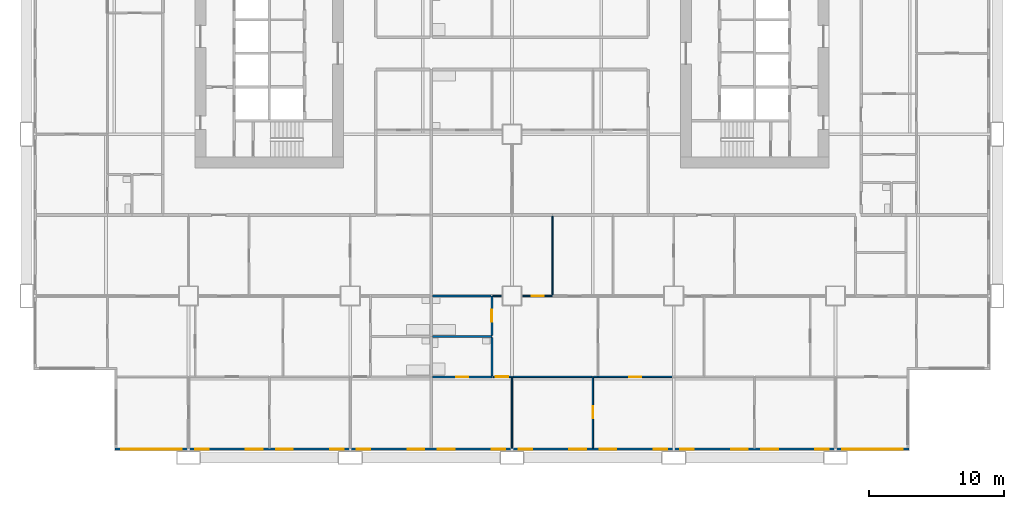
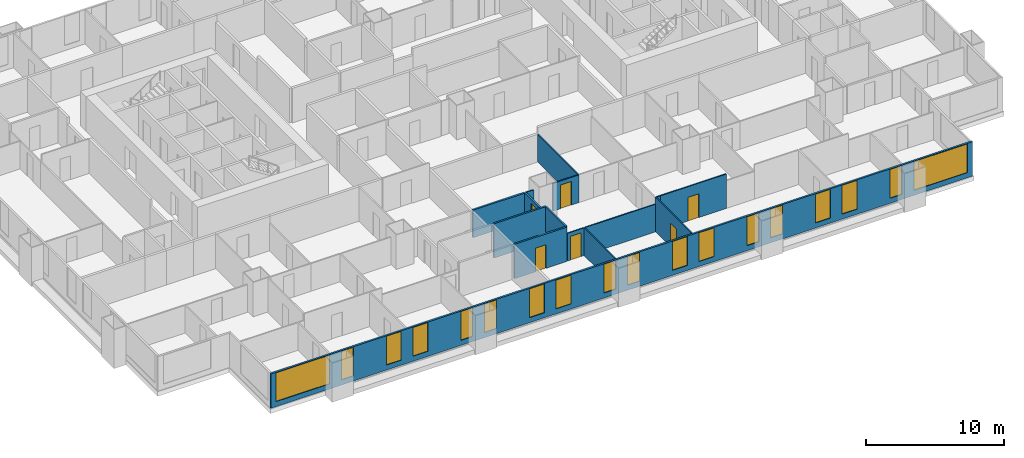
# One storey, part 5 of 14: 18 windows, 15 walls, 6 doors, 24 openings.
"""IFC4 building model written with IfcOpenShell, lengths in metres."""

from ifc_helpers import new_model, si_unit, direction, frame, frame_2d, origin, place, context, subcontext, project, spatial, rectangle, extrude, material, layer, layer_set, type_object, element, fill, save


model = new_model("IFC4")

# Units and contexts
model_context = context("Model", 3, precision=1e-05, world=origin(), true_north=direction((0.0, 1.0)))
body_context = subcontext(model_context, "Body", "Model", "MODEL_VIEW")
ifc_project = project(units=[si_unit("LENGTHUNIT", "METRE"), si_unit("AREAUNIT", "SQUARE_METRE"), si_unit("VOLUMEUNIT", "CUBIC_METRE"), si_unit("PLANEANGLEUNIT", "RADIAN"), si_unit("MASSUNIT", "GRAM", prefix="KILO")], contexts=[model_context])

# Site, building, storey
site_placement = place(None, origin())
site = spatial("IfcSite", under=ifc_project, at=site_placement, CompositionType="ELEMENT")
building_placement = place(site_placement, origin())
building = spatial("IfcBuilding", under=site, at=building_placement, Name="Kitamizu Gate Tower and Museum", CompositionType="ELEMENT")
storey_placement = place(building_placement, frame((0.0, 0.0, 43.800048828125)))
storey = spatial("IfcBuildingStorey", under=building, at=storey_placement, Name="L09", CompositionType="ELEMENT", Elevation=43.800048828125)

# Wall
ifc_material_1 = material(Name="Gypsum board on galvanised stud")
ifc_layer_1 = layer(ifc_material_1, 0.10009765625)
ifc_layer_set_1 = layer_set([ifc_layer_1], Name="Gypsum board on galvanised stud")
wall_type_1 = type_object("IfcWallType", Name="Partition 100 NOT RATED", PredefinedType="PARTITIONING", material=ifc_layer_set_1)
wall_1_placement = place(storey_placement, frame((36.0, 0.719970703125, 0.0), z_axis=(0.0, 0.0, 1.0), x_axis=(0.0, 1.0, 0.0)))
element("IfcWall", 1, at=wall_1_placement, inside=storey, type_object=wall_type_1, Name="Partition L09-046", PredefinedType="PARTITIONING", context=body_context, shape_type="SweptSolid", body=[
    extrude(rectangle(XDim=5.280029296875, YDim=0.10009765625, at=frame_2d((2.64013671875, 0.0))), origin(), (0.0, 0.0, 1.0), 2.449951171875),
])

# Wall, opening, door
wall_2_placement = place(storey_placement, frame((35.949951171875, 6.0, 0.0), z_axis=(0.0, 0.0, 1.0), x_axis=(-1.0, 0.0, 0.0)))
wall_2 = element("IfcWall", 2, at=wall_2_placement, inside=storey, type_object=wall_type_1, Name="Partition L09-048", PredefinedType="PARTITIONING", context=body_context, shape_type="SweptSolid", body=[
    extrude(rectangle(XDim=1.375, YDim=0.10009765625, at=frame_2d((0.6875, 0.0))), origin(), (0.0, 0.0, 1.0), 2.449951171875),
])
opening_1_placement = place(wall_2_placement, frame((0.237548828125, 0.0, 0.0)))
opening_1 = element("IfcOpeningElement", 3, at=opening_1_placement, cuts=wall_2, Name="Opening L09-024", PredefinedType="OPENING", context=body_context, shape_type="SweptSolid", body=[
    extrude(rectangle(XDim=0.89990234375, YDim=2.10009765625, at=frame_2d((0.449951171875, 1.050048828125))), frame((0.0, 0.06005859375, 0.0), z_axis=(0.0, -1.0, 0.0), x_axis=(1.0, 0.0, 0.0)), (0.0, 0.0, 1.0), 0.1201171875),
])
ifc_material_2 = material(Name="Timber door set", Category="wood")
door_type_1 = type_object("IfcDoorType", Name="Room door 900", OperationType="NOTDEFINED", PredefinedType="DOOR", material=ifc_material_2)
door_1_placement = place(opening_1_placement, origin())
door_1 = element("IfcDoor", 4, at=door_1_placement, inside=storey, type_object=door_type_1, Name="Door L09-024", OperationType="SINGLE_SWING_RIGHT", OverallHeight=2.10009765625, OverallWidth=0.89990234375, PredefinedType="DOOR", context=body_context, shape_type="SweptSolid", body=[
    extrude(rectangle(XDim=0.89990234375, YDim=2.10009765625, at=frame_2d((0.449951171875, 1.050048828125))), frame((0.0, 0.02490234375, 0.0), z_axis=(0.0, -1.0, 0.0), x_axis=(1.0, 0.0, 0.0)), (0.0, 0.0, 1.0), 0.050048828125),
])
fill(opening_1, door_1)

wall_3_placement = place(storey_placement, frame((42.0, 0.719970703125, 0.0), z_axis=(0.0, 0.0, 1.0), x_axis=(0.0, 1.0, 0.0)))
wall_3 = element("IfcWall", 5, at=wall_3_placement, inside=storey, type_object=wall_type_1, Name="Partition L09-049", PredefinedType="PARTITIONING", context=body_context, shape_type="SweptSolid", body=[
    extrude(rectangle(XDim=5.280029296875, YDim=0.10009765625, at=frame_2d((2.64013671875, 0.0))), origin(), (0.0, 0.0, 1.0), 3.050048828125),
])
opening_2_placement = place(wall_3_placement, frame((2.18994140625, 0.0, 0.0)))
opening_2 = element("IfcOpeningElement", 6, at=opening_2_placement, cuts=wall_3, Name="Opening L09-023", PredefinedType="OPENING", context=body_context, shape_type="SweptSolid", body=[
    extrude(rectangle(XDim=0.89990234375, YDim=2.10009765625, at=frame_2d((0.449951171875, 1.050048828125))), frame((0.0, 0.06005859375, 0.0), z_axis=(0.0, -1.0, 0.0), x_axis=(1.0, 0.0, 0.0)), (0.0, 0.0, 1.0), 0.1201171875),
])
door_2_placement = place(opening_2_placement, origin())
door_2 = element("IfcDoor", 7, at=door_2_placement, inside=storey, type_object=door_type_1, Name="Door L09-023", OperationType="SINGLE_SWING_LEFT", OverallHeight=2.10009765625, OverallWidth=0.89990234375, PredefinedType="DOOR", context=body_context, shape_type="SweptSolid", body=[
    extrude(rectangle(XDim=0.89990234375, YDim=2.10009765625, at=frame_2d((0.449951171875, 1.050048828125))), frame((0.0, 0.02490234375, 0.0), z_axis=(0.0, -1.0, 0.0), x_axis=(1.0, 0.0, 0.0)), (0.0, 0.0, 1.0), 0.050048828125),
])
fill(opening_2, door_2)

# Walls
wall_4_placement = place(storey_placement, frame((41.949951171875, 6.0, 0.0), z_axis=(0.0, 0.0, 1.0), x_axis=(-1.0, 0.0, 0.0)))
element("IfcWall", 8, at=wall_4_placement, inside=storey, type_object=wall_type_1, Name="Partition L09-050", PredefinedType="PARTITIONING", context=body_context, shape_type="SweptSolid", body=[
    extrude(rectangle(XDim=5.89990234375, YDim=0.10009765625, at=frame_2d((2.949951171875, 0.0))), origin(), (0.0, 0.0, 1.0), 2.449951171875),
])
wall_5_placement = place(storey_placement, frame((42.375, 6.0, 0.0), z_axis=(0.0, 0.0, 1.0), x_axis=(-1.0, 0.0, 0.0)))
element("IfcWall", 9, at=wall_5_placement, inside=storey, type_object=wall_type_1, Name="Partition L09-052", PredefinedType="PARTITIONING", context=body_context, shape_type="SweptSolid", body=[
    extrude(rectangle(XDim=0.324951171875, YDim=0.10009765625, at=frame_2d((0.16259765625, 0.0))), origin(), (0.0, 0.0, 1.0), 3.050048828125),
])

# Wall, opening, door
wall_6_placement = place(storey_placement, frame((47.89990234375, 6.0, 0.0), z_axis=(0.0, 0.0, 1.0), x_axis=(-1.0, 0.0, 0.0)))
wall_6 = element("IfcWall", 10, at=wall_6_placement, inside=storey, type_object=wall_type_1, Name="Partition L09-054", PredefinedType="PARTITIONING", context=body_context, shape_type="SweptSolid", body=[
    extrude(rectangle(XDim=5.52490234375, YDim=0.10009765625, at=frame_2d((2.762451171875, 0.0))), origin(), (0.0, 0.0, 1.0), 3.050048828125),
])
opening_3_placement = place(wall_6_placement, frame((2.3125, 0.0, 0.0)))
opening_3 = element("IfcOpeningElement", 11, at=opening_3_placement, cuts=wall_6, Name="Opening L09-020", PredefinedType="OPENING", context=body_context, shape_type="SweptSolid", body=[
    extrude(rectangle(XDim=0.89990234375, YDim=2.10009765625, at=frame_2d((0.449951171875, 1.050048828125))), frame((0.0, 0.06005859375, 0.0), z_axis=(0.0, -1.0, 0.0), x_axis=(1.0, 0.0, 0.0)), (0.0, 0.0, 1.0), 0.1201171875),
])
door_3_placement = place(opening_3_placement, frame((0.89990234375, 0.0, 0.0), x_axis=(-1.0, 0.0, 0.0)))
door_3 = element("IfcDoor", 12, at=door_3_placement, inside=storey, type_object=door_type_1, Name="Door L09-020", OperationType="SINGLE_SWING_LEFT", OverallHeight=2.10009765625, OverallWidth=0.89990234375, PredefinedType="DOOR", context=body_context, shape_type="SweptSolid", body=[
    extrude(rectangle(XDim=0.89990234375, YDim=2.10009765625, at=frame_2d((0.449951171875, 1.050048828125))), frame((0.0, 0.02490234375, 0.0), z_axis=(0.0, -1.0, 0.0), x_axis=(1.0, 0.0, 0.0)), (0.0, 0.0, 1.0), 0.050048828125),
])
fill(opening_3, door_3)

# Wall
wall_7_placement = place(storey_placement, frame((35.199951171875, 12.0, 0.0), z_axis=(0.0, 0.0, 1.0), x_axis=(-1.0, 0.0, 0.0)))
element("IfcWall", 13, at=wall_7_placement, inside=storey, type_object=wall_type_1, Name="Partition L09-065", PredefinedType="PARTITIONING", context=body_context, shape_type="SweptSolid", body=[
    extrude(rectangle(XDim=0.625, YDim=0.10009765625, at=frame_2d((0.3125, 0.0))), origin(), (0.0, 0.0, 1.0), 2.449951171875),
])

# Wall, opening, door
wall_8_placement = place(storey_placement, frame((39.0, 12.0, 0.0), z_axis=(0.0, 0.0, 1.0), x_axis=(-1.0, 0.0, 0.0)))
wall_8 = element("IfcWall", 14, at=wall_8_placement, inside=storey, type_object=wall_type_1, Name="Partition L09-066", PredefinedType="PARTITIONING", context=body_context, shape_type="SweptSolid", body=[
    extrude(rectangle(XDim=2.199951171875, YDim=0.10009765625, at=frame_2d((1.10009765625, 0.0))), origin(), (0.0, 0.0, 1.0), 2.449951171875),
])
opening_4_placement = place(wall_8_placement, frame((0.64990234375, 0.0, 0.0)))
opening_4 = element("IfcOpeningElement", 15, at=opening_4_placement, cuts=wall_8, Name="Opening L09-030", PredefinedType="OPENING", context=body_context, shape_type="SweptSolid", body=[
    extrude(rectangle(XDim=0.89990234375, YDim=2.10009765625, at=frame_2d((0.449951171875, 1.050048828125))), frame((0.0, 0.06005859375, 0.0), z_axis=(0.0, -1.0, 0.0), x_axis=(1.0, 0.0, 0.0)), (0.0, 0.0, 1.0), 0.1201171875),
])
door_4_placement = place(opening_4_placement, frame((0.89990234375, 0.0, 0.0), x_axis=(-1.0, 0.0, 0.0)))
door_4 = element("IfcDoor", 16, at=door_4_placement, inside=storey, type_object=door_type_1, Name="Door L09-030", OperationType="SINGLE_SWING_RIGHT", OverallHeight=2.10009765625, OverallWidth=0.89990234375, PredefinedType="DOOR", context=body_context, shape_type="SweptSolid", body=[
    extrude(rectangle(XDim=0.89990234375, YDim=2.10009765625, at=frame_2d((0.449951171875, 1.050048828125))), frame((0.0, 0.02490234375, 0.0), z_axis=(0.0, -1.0, 0.0), x_axis=(1.0, 0.0, 0.0)), (0.0, 0.0, 1.0), 0.050048828125),
])
fill(opening_4, door_4)

# Wall
wall_9_placement = place(storey_placement, frame((39.0, 12.050048828125, 0.0), z_axis=(0.0, 0.0, 1.0), x_axis=(0.0, 1.0, 0.0)))
element("IfcWall", 17, at=wall_9_placement, inside=storey, type_object=wall_type_1, Name="Partition L09-081", PredefinedType="PARTITIONING", context=body_context, shape_type="SweptSolid", body=[
    extrude(rectangle(XDim=5.849853515625, YDim=0.10009765625, at=frame_2d((2.9248046875, 0.0))), origin(), (0.0, 0.0, 1.0), 2.449951171875),
])

# Wall, opening, door
ifc_material_3 = material(Name="Gypsum board on galvanised stud")
ifc_layer_2 = layer(ifc_material_3, 0.14990234375)
ifc_layer_set_2 = layer_set([ifc_layer_2], Name="Gypsum board on galvanised stud")
wall_type_2 = type_object("IfcWallType", Name="Partition 150", PredefinedType="PARTITIONING", material=ifc_layer_set_2)
wall_10_placement = place(storey_placement, frame((34.5, 6.0, 0.0), z_axis=(0.0, 0.0, 1.0), x_axis=(-1.0, 0.0, 0.0)))
wall_10 = element("IfcWall", 18, at=wall_10_placement, inside=storey, type_object=wall_type_2, Name="Partition L09-047", PredefinedType="PARTITIONING", context=body_context, shape_type="SweptSolid", body=[
    extrude(rectangle(XDim=4.39990234375, YDim=0.14990234375, at=frame_2d((2.199951171875, 0.0))), origin(), (0.0, 0.0, 1.0), 3.050048828125),
])
opening_5_placement = place(wall_10_placement, frame((1.75, 0.0, 0.0)))
opening_5 = element("IfcOpeningElement", 19, at=opening_5_placement, cuts=wall_10, Name="Opening L09-026", PredefinedType="OPENING", context=body_context, shape_type="SweptSolid", body=[
    extrude(rectangle(XDim=0.89990234375, YDim=2.10009765625, at=frame_2d((0.449951171875, 1.050048828125))), frame((0.0, 0.0849609375, 0.0), z_axis=(0.0, -1.0, 0.0), x_axis=(1.0, 0.0, 0.0)), (0.0, 0.0, 1.0), 0.169921875),
])
ifc_material_4 = material(Name="Timber door set", Category="wood")
door_type_2 = type_object("IfcDoorType", Name="Bathroom door 900", OperationType="NOTDEFINED", PredefinedType="DOOR", material=ifc_material_4)
door_5_placement = place(opening_5_placement, frame((0.89990234375, 0.0, 0.0), x_axis=(-1.0, 0.0, 0.0)))
door_5 = element("IfcDoor", 20, at=door_5_placement, inside=storey, type_object=door_type_2, Name="Bathroom door L09-026", OperationType="SINGLE_SWING_RIGHT", OverallHeight=2.10009765625, OverallWidth=0.89990234375, PredefinedType="DOOR", context=body_context, shape_type="SweptSolid", body=[
    extrude(rectangle(XDim=0.89990234375, YDim=2.10009765625, at=frame_2d((0.449951171875, 1.050048828125))), frame((0.0, 0.02490234375, 0.0), z_axis=(0.0, -1.0, 0.0), x_axis=(1.0, 0.0, 0.0)), (0.0, 0.0, 1.0), 0.050048828125),
])
fill(opening_5, door_5)

# Walls
wall_11_placement = place(storey_placement, frame((34.5, 9.0, 0.0), z_axis=(0.0, 0.0, 1.0), x_axis=(-1.0, 0.0, 0.0)))
element("IfcWall", 21, at=wall_11_placement, inside=storey, type_object=wall_type_2, Name="Partition L09-060", PredefinedType="PARTITIONING", context=body_context, shape_type="SweptSolid", body=[
    extrude(rectangle(XDim=4.39990234375, YDim=0.14990234375, at=frame_2d((2.199951171875, 0.0))), origin(), (0.0, 0.0, 1.0), 3.050048828125),
])
wall_12_placement = place(storey_placement, frame((34.5, 6.074951171875, 0.0), z_axis=(0.0, 0.0, 1.0), x_axis=(0.0, 1.0, 0.0)))
element("IfcWall", 22, at=wall_12_placement, inside=storey, type_object=wall_type_2, Name="Partition L09-061", PredefinedType="PARTITIONING", context=body_context, shape_type="SweptSolid", body=[
    extrude(rectangle(XDim=2.85009765625, YDim=0.14990234375, at=frame_2d((1.425048828125, 0.0))), origin(), (0.0, 0.0, 1.0), 3.050048828125),
])

# Wall, opening, door
wall_13_placement = place(storey_placement, frame((34.5, 9.074951171875, 0.0), z_axis=(0.0, 0.0, 1.0), x_axis=(0.0, 1.0, 0.0)))
wall_13 = element("IfcWall", 23, at=wall_13_placement, inside=storey, type_object=wall_type_2, Name="Partition L09-062", PredefinedType="PARTITIONING", context=body_context, shape_type="SweptSolid", body=[
    extrude(rectangle(XDim=2.925048828125, YDim=0.14990234375, at=frame_2d((1.46240234375, 0.0))), origin(), (0.0, 0.0, 1.0), 2.449951171875),
])
opening_6_placement = place(wall_13_placement, frame((1.012451171875, 0.0, 0.0)))
opening_6 = element("IfcOpeningElement", 24, at=opening_6_placement, cuts=wall_13, Name="Opening L09-029", PredefinedType="OPENING", context=body_context, shape_type="SweptSolid", body=[
    extrude(rectangle(XDim=0.89990234375, YDim=2.10009765625, at=frame_2d((0.449951171875, 1.050048828125))), frame((0.0, 0.0849609375, 0.0), z_axis=(0.0, -1.0, 0.0), x_axis=(1.0, 0.0, 0.0)), (0.0, 0.0, 1.0), 0.169921875),
])
door_6_placement = place(opening_6_placement, origin())
door_6 = element("IfcDoor", 25, at=door_6_placement, inside=storey, type_object=door_type_2, Name="Bathroom door L09-029", OperationType="SINGLE_SWING_RIGHT", OverallHeight=2.10009765625, OverallWidth=0.89990234375, PredefinedType="DOOR", context=body_context, shape_type="SweptSolid", body=[
    extrude(rectangle(XDim=0.89990234375, YDim=2.10009765625, at=frame_2d((0.449951171875, 1.050048828125))), frame((0.0, 0.02490234375, 0.0), z_axis=(0.0, -1.0, 0.0), x_axis=(1.0, 0.0, 0.0)), (0.0, 0.0, 1.0), 0.050048828125),
])
fill(opening_6, door_6)

# Wall
wall_14_placement = place(storey_placement, frame((34.425048828125, 12.0, 0.0), z_axis=(0.0, 0.0, 1.0), x_axis=(-1.0, 0.0, 0.0)))
element("IfcWall", 26, at=wall_14_placement, inside=storey, type_object=wall_type_2, Name="Partition L09-063", PredefinedType="PARTITIONING", context=body_context, shape_type="SweptSolid", body=[
    extrude(rectangle(XDim=4.324951171875, YDim=0.14990234375, at=frame_2d((2.16259765625, 0.0))), origin(), (0.0, 0.0, 1.0), 2.449951171875),
])

# Wall, openings, windows
ifc_material_5 = material(Name="Bronze anodised aluminium frame with insulated spandrel and tinted glass", Category="aluminium")
ifc_layer_3 = layer(ifc_material_5, 0.14990234375)
ifc_layer_set_3 = layer_set([ifc_layer_3], Name="Bronze anodised aluminium frame with insulated spandrel and tinted glass")
wall_type_3 = type_object("IfcWallType", Name="WINDOW WALL 150 BRONZE FRAME EI 30", PredefinedType="ELEMENTEDWALL", material=ifc_layer_set_3)
wall_15_placement = place(storey_placement, frame((6.56005859375, 0.635009765625, 0.0), z_axis=(0.0, 0.0, 1.0), x_axis=(1.0, 0.0, 0.0)))
wall_15 = element("IfcWall", 27, at=wall_15_placement, inside=storey, type_object=wall_type_3, Name="Window wall south L09", PredefinedType="ELEMENTEDWALL", context=body_context, shape_type="SweptSolid", body=[
    extrude(rectangle(XDim=58.8798828125, YDim=0.14990234375, at=frame_2d((29.43994140625, 0.0))), origin(), (0.0, 0.0, 1.0), 3.050048828125),
])
opening_7_placement = place(wall_15_placement, frame((0.43994140625, 0.0, 0.449951171875)))
opening_7 = element("IfcOpeningElement", 28, at=opening_7_placement, cuts=wall_15, Name="Opening W15", PredefinedType="OPENING", context=body_context, shape_type="SweptSolid", body=[
    extrude(rectangle(XDim=4.5, YDim=2.550048828125, at=frame_2d((2.25, 1.27490234375))), frame((0.0, 0.0849609375, 0.0), z_axis=(0.0, -1.0, 0.0), x_axis=(1.0, 0.0, 0.0)), (0.0, 0.0, 1.0), 0.169921875),
])
opening_8_placement = place(wall_15_placement, frame((5.93994140625, 0.0, 0.449951171875)))
opening_8 = element("IfcOpeningElement", 29, at=opening_8_placement, cuts=wall_15, Name="Opening W26", PredefinedType="OPENING", context=body_context, shape_type="SweptSolid", body=[
    extrude(rectangle(XDim=1.0, YDim=2.550048828125, at=frame_2d((0.5, 1.27490234375))), frame((0.0, 0.0849609375, 0.0), z_axis=(0.0, -1.0, 0.0), x_axis=(1.0, 0.0, 0.0)), (0.0, 0.0, 1.0), 0.169921875),
])
opening_9_placement = place(wall_15_placement, frame((9.68994140625, 0.0, 0.449951171875)))
opening_9 = element("IfcOpeningElement", 30, at=opening_9_placement, cuts=wall_15, Name="Opening W27", PredefinedType="OPENING", context=body_context, shape_type="SweptSolid", body=[
    extrude(rectangle(XDim=1.25, YDim=2.550048828125, at=frame_2d((0.625, 1.27490234375))), frame((0.0, 0.0849609375, 0.0), z_axis=(0.0, -1.0, 0.0), x_axis=(1.0, 0.0, 0.0)), (0.0, 0.0, 1.0), 0.169921875),
])
opening_10_placement = place(wall_15_placement, frame((11.93994140625, 0.0, 0.449951171875)))
opening_10 = element("IfcOpeningElement", 31, at=opening_10_placement, cuts=wall_15, Name="Opening W27", PredefinedType="OPENING", context=body_context, shape_type="SweptSolid", body=[
    extrude(rectangle(XDim=1.25, YDim=2.550048828125, at=frame_2d((0.625, 1.27490234375))), frame((0.0, 0.0849609375, 0.0), z_axis=(0.0, -1.0, 0.0), x_axis=(1.0, 0.0, 0.0)), (0.0, 0.0, 1.0), 0.169921875),
])
opening_11_placement = place(wall_15_placement, frame((15.93994140625, 0.0, 0.449951171875)))
opening_11 = element("IfcOpeningElement", 32, at=opening_11_placement, cuts=wall_15, Name="Opening W26", PredefinedType="OPENING", context=body_context, shape_type="SweptSolid", body=[
    extrude(rectangle(XDim=1.0, YDim=2.550048828125, at=frame_2d((0.5, 1.27490234375))), frame((0.0, 0.0849609375, 0.0), z_axis=(0.0, -1.0, 0.0), x_axis=(1.0, 0.0, 0.0)), (0.0, 0.0, 1.0), 0.169921875),
])
opening_12_placement = place(wall_15_placement, frame((17.93994140625, 0.0, 0.449951171875)))
opening_12 = element("IfcOpeningElement", 33, at=opening_12_placement, cuts=wall_15, Name="Opening W26", PredefinedType="OPENING", context=body_context, shape_type="SweptSolid", body=[
    extrude(rectangle(XDim=1.0, YDim=2.550048828125, at=frame_2d((0.5, 1.27490234375))), frame((0.0, 0.0849609375, 0.0), z_axis=(0.0, -1.0, 0.0), x_axis=(1.0, 0.0, 0.0)), (0.0, 0.0, 1.0), 0.169921875),
])
opening_13_placement = place(wall_15_placement, frame((21.68994140625, 0.0, 0.449951171875)))
opening_13 = element("IfcOpeningElement", 34, at=opening_13_placement, cuts=wall_15, Name="Opening W27", PredefinedType="OPENING", context=body_context, shape_type="SweptSolid", body=[
    extrude(rectangle(XDim=1.25, YDim=2.550048828125, at=frame_2d((0.625, 1.27490234375))), frame((0.0, 0.0849609375, 0.0), z_axis=(0.0, -1.0, 0.0), x_axis=(1.0, 0.0, 0.0)), (0.0, 0.0, 1.0), 0.169921875),
])
opening_14_placement = place(wall_15_placement, frame((23.93994140625, 0.0, 0.449951171875)))
opening_14 = element("IfcOpeningElement", 35, at=opening_14_placement, cuts=wall_15, Name="Opening W27", PredefinedType="OPENING", context=body_context, shape_type="SweptSolid", body=[
    extrude(rectangle(XDim=1.25, YDim=2.550048828125, at=frame_2d((0.625, 1.27490234375))), frame((0.0, 0.0849609375, 0.0), z_axis=(0.0, -1.0, 0.0), x_axis=(1.0, 0.0, 0.0)), (0.0, 0.0, 1.0), 0.169921875),
])
opening_15_placement = place(wall_15_placement, frame((27.93994140625, 0.0, 0.449951171875)))
opening_15 = element("IfcOpeningElement", 36, at=opening_15_placement, cuts=wall_15, Name="Opening W26", PredefinedType="OPENING", context=body_context, shape_type="SweptSolid", body=[
    extrude(rectangle(XDim=1.0, YDim=2.550048828125, at=frame_2d((0.5, 1.27490234375))), frame((0.0, 0.0849609375, 0.0), z_axis=(0.0, -1.0, 0.0), x_axis=(1.0, 0.0, 0.0)), (0.0, 0.0, 1.0), 0.169921875),
])
opening_16_placement = place(wall_15_placement, frame((29.93994140625, 0.0, 0.449951171875)))
opening_16 = element("IfcOpeningElement", 37, at=opening_16_placement, cuts=wall_15, Name="Opening W26", PredefinedType="OPENING", context=body_context, shape_type="SweptSolid", body=[
    extrude(rectangle(XDim=1.0, YDim=2.550048828125, at=frame_2d((0.5, 1.27490234375))), frame((0.0, 0.0849609375, 0.0), z_axis=(0.0, -1.0, 0.0), x_axis=(1.0, 0.0, 0.0)), (0.0, 0.0, 1.0), 0.169921875),
])
opening_17_placement = place(wall_15_placement, frame((33.68994140625, 0.0, 0.449951171875)))
opening_17 = element("IfcOpeningElement", 38, at=opening_17_placement, cuts=wall_15, Name="Opening W27", PredefinedType="OPENING", context=body_context, shape_type="SweptSolid", body=[
    extrude(rectangle(XDim=1.25, YDim=2.550048828125, at=frame_2d((0.625, 1.27490234375))), frame((0.0, 0.0849609375, 0.0), z_axis=(0.0, -1.0, 0.0), x_axis=(1.0, 0.0, 0.0)), (0.0, 0.0, 1.0), 0.169921875),
])
opening_18_placement = place(wall_15_placement, frame((35.93994140625, 0.0, 0.449951171875)))
opening_18 = element("IfcOpeningElement", 39, at=opening_18_placement, cuts=wall_15, Name="Opening W27", PredefinedType="OPENING", context=body_context, shape_type="SweptSolid", body=[
    extrude(rectangle(XDim=1.25, YDim=2.550048828125, at=frame_2d((0.625, 1.27490234375))), frame((0.0, 0.0849609375, 0.0), z_axis=(0.0, -1.0, 0.0), x_axis=(1.0, 0.0, 0.0)), (0.0, 0.0, 1.0), 0.169921875),
])
opening_19_placement = place(wall_15_placement, frame((39.93994140625, 0.0, 0.449951171875)))
opening_19 = element("IfcOpeningElement", 40, at=opening_19_placement, cuts=wall_15, Name="Opening W26", PredefinedType="OPENING", context=body_context, shape_type="SweptSolid", body=[
    extrude(rectangle(XDim=1.0, YDim=2.550048828125, at=frame_2d((0.5, 1.27490234375))), frame((0.0, 0.0849609375, 0.0), z_axis=(0.0, -1.0, 0.0), x_axis=(1.0, 0.0, 0.0)), (0.0, 0.0, 1.0), 0.169921875),
])
opening_20_placement = place(wall_15_placement, frame((41.93994140625, 0.0, 0.449951171875)))
opening_20 = element("IfcOpeningElement", 41, at=opening_20_placement, cuts=wall_15, Name="Opening W26", PredefinedType="OPENING", context=body_context, shape_type="SweptSolid", body=[
    extrude(rectangle(XDim=1.0, YDim=2.550048828125, at=frame_2d((0.5, 1.27490234375))), frame((0.0, 0.0849609375, 0.0), z_axis=(0.0, -1.0, 0.0), x_axis=(1.0, 0.0, 0.0)), (0.0, 0.0, 1.0), 0.169921875),
])
opening_21_placement = place(wall_15_placement, frame((45.68994140625, 0.0, 0.449951171875)))
opening_21 = element("IfcOpeningElement", 42, at=opening_21_placement, cuts=wall_15, Name="Opening W27", PredefinedType="OPENING", context=body_context, shape_type="SweptSolid", body=[
    extrude(rectangle(XDim=1.25, YDim=2.550048828125, at=frame_2d((0.625, 1.27490234375))), frame((0.0, 0.0849609375, 0.0), z_axis=(0.0, -1.0, 0.0), x_axis=(1.0, 0.0, 0.0)), (0.0, 0.0, 1.0), 0.169921875),
])
opening_22_placement = place(wall_15_placement, frame((47.93994140625, 0.0, 0.449951171875)))
opening_22 = element("IfcOpeningElement", 43, at=opening_22_placement, cuts=wall_15, Name="Opening W27", PredefinedType="OPENING", context=body_context, shape_type="SweptSolid", body=[
    extrude(rectangle(XDim=1.25, YDim=2.550048828125, at=frame_2d((0.625, 1.27490234375))), frame((0.0, 0.0849609375, 0.0), z_axis=(0.0, -1.0, 0.0), x_axis=(1.0, 0.0, 0.0)), (0.0, 0.0, 1.0), 0.169921875),
])
opening_23_placement = place(wall_15_placement, frame((51.93994140625, 0.0, 0.449951171875)))
opening_23 = element("IfcOpeningElement", 44, at=opening_23_placement, cuts=wall_15, Name="Opening W26", PredefinedType="OPENING", context=body_context, shape_type="SweptSolid", body=[
    extrude(rectangle(XDim=1.0, YDim=2.550048828125, at=frame_2d((0.5, 1.27490234375))), frame((0.0, 0.0849609375, 0.0), z_axis=(0.0, -1.0, 0.0), x_axis=(1.0, 0.0, 0.0)), (0.0, 0.0, 1.0), 0.169921875),
])
opening_24_placement = place(wall_15_placement, frame((53.93994140625, 0.0, 0.449951171875)))
opening_24 = element("IfcOpeningElement", 45, at=opening_24_placement, cuts=wall_15, Name="Opening W15", PredefinedType="OPENING", context=body_context, shape_type="SweptSolid", body=[
    extrude(rectangle(XDim=4.5, YDim=2.550048828125, at=frame_2d((2.25, 1.27490234375))), frame((0.0, 0.0849609375, 0.0), z_axis=(0.0, -1.0, 0.0), x_axis=(1.0, 0.0, 0.0)), (0.0, 0.0, 1.0), 0.169921875),
])
ifc_material_6 = material(Name="Bronze anodised aluminium frame, tinted triple glazing", Category="aluminium")
window_type_1 = type_object("IfcWindowType", Name="WINDOW 1000 x 2550 SILL 450", PartitioningType="SINGLE_PANEL", PredefinedType="WINDOW", material=ifc_material_6)
window_1_placement = place(opening_8_placement, origin())
window_1 = element("IfcWindow", 46, at=window_1_placement, inside=storey, type_object=window_type_1, Name="Window W26 L09", OverallHeight=2.550048828125, OverallWidth=1.0, PartitioningType="SINGLE_PANEL", PredefinedType="WINDOW", context=body_context, shape_type="SweptSolid", body=[
    extrude(rectangle(XDim=1.0, YDim=2.550048828125, at=frame_2d((0.5, 1.27490234375))), frame((0.0, 0.030029296875, 0.0), z_axis=(0.0, -1.0, 0.0), x_axis=(1.0, 0.0, 0.0)), (0.0, 0.0, 1.0), 0.06005859375),
])
fill(opening_8, window_1)
window_2_placement = place(opening_11_placement, origin())
window_2 = element("IfcWindow", 47, at=window_2_placement, inside=storey, type_object=window_type_1, Name="Window W26 L09", OverallHeight=2.550048828125, OverallWidth=1.0, PartitioningType="SINGLE_PANEL", PredefinedType="WINDOW", context=body_context, shape_type="SweptSolid", body=[
    extrude(rectangle(XDim=1.0, YDim=2.550048828125, at=frame_2d((0.5, 1.27490234375))), frame((0.0, 0.030029296875, 0.0), z_axis=(0.0, -1.0, 0.0), x_axis=(1.0, 0.0, 0.0)), (0.0, 0.0, 1.0), 0.06005859375),
])
fill(opening_11, window_2)
window_3_placement = place(opening_12_placement, origin())
window_3 = element("IfcWindow", 48, at=window_3_placement, inside=storey, type_object=window_type_1, Name="Window W26 L09", OverallHeight=2.550048828125, OverallWidth=1.0, PartitioningType="SINGLE_PANEL", PredefinedType="WINDOW", context=body_context, shape_type="SweptSolid", body=[
    extrude(rectangle(XDim=1.0, YDim=2.550048828125, at=frame_2d((0.5, 1.27490234375))), frame((0.0, 0.030029296875, 0.0), z_axis=(0.0, -1.0, 0.0), x_axis=(1.0, 0.0, 0.0)), (0.0, 0.0, 1.0), 0.06005859375),
])
fill(opening_12, window_3)
window_4_placement = place(opening_15_placement, origin())
window_4 = element("IfcWindow", 49, at=window_4_placement, inside=storey, type_object=window_type_1, Name="Window W26 L09", OverallHeight=2.550048828125, OverallWidth=1.0, PartitioningType="SINGLE_PANEL", PredefinedType="WINDOW", context=body_context, shape_type="SweptSolid", body=[
    extrude(rectangle(XDim=1.0, YDim=2.550048828125, at=frame_2d((0.5, 1.27490234375))), frame((0.0, 0.030029296875, 0.0), z_axis=(0.0, -1.0, 0.0), x_axis=(1.0, 0.0, 0.0)), (0.0, 0.0, 1.0), 0.06005859375),
])
fill(opening_15, window_4)
window_5_placement = place(opening_16_placement, origin())
window_5 = element("IfcWindow", 50, at=window_5_placement, inside=storey, type_object=window_type_1, Name="Window W26 L09", OverallHeight=2.550048828125, OverallWidth=1.0, PartitioningType="SINGLE_PANEL", PredefinedType="WINDOW", context=body_context, shape_type="SweptSolid", body=[
    extrude(rectangle(XDim=1.0, YDim=2.550048828125, at=frame_2d((0.5, 1.27490234375))), frame((0.0, 0.030029296875, 0.0), z_axis=(0.0, -1.0, 0.0), x_axis=(1.0, 0.0, 0.0)), (0.0, 0.0, 1.0), 0.06005859375),
])
fill(opening_16, window_5)
window_6_placement = place(opening_19_placement, origin())
window_6 = element("IfcWindow", 51, at=window_6_placement, inside=storey, type_object=window_type_1, Name="Window W26 L09", OverallHeight=2.550048828125, OverallWidth=1.0, PartitioningType="SINGLE_PANEL", PredefinedType="WINDOW", context=body_context, shape_type="SweptSolid", body=[
    extrude(rectangle(XDim=1.0, YDim=2.550048828125, at=frame_2d((0.5, 1.27490234375))), frame((0.0, 0.030029296875, 0.0), z_axis=(0.0, -1.0, 0.0), x_axis=(1.0, 0.0, 0.0)), (0.0, 0.0, 1.0), 0.06005859375),
])
fill(opening_19, window_6)
window_7_placement = place(opening_20_placement, origin())
window_7 = element("IfcWindow", 52, at=window_7_placement, inside=storey, type_object=window_type_1, Name="Window W26 L09", OverallHeight=2.550048828125, OverallWidth=1.0, PartitioningType="SINGLE_PANEL", PredefinedType="WINDOW", context=body_context, shape_type="SweptSolid", body=[
    extrude(rectangle(XDim=1.0, YDim=2.550048828125, at=frame_2d((0.5, 1.27490234375))), frame((0.0, 0.030029296875, 0.0), z_axis=(0.0, -1.0, 0.0), x_axis=(1.0, 0.0, 0.0)), (0.0, 0.0, 1.0), 0.06005859375),
])
fill(opening_20, window_7)
window_8_placement = place(opening_23_placement, origin())
window_8 = element("IfcWindow", 53, at=window_8_placement, inside=storey, type_object=window_type_1, Name="Window W26 L09", OverallHeight=2.550048828125, OverallWidth=1.0, PartitioningType="SINGLE_PANEL", PredefinedType="WINDOW", context=body_context, shape_type="SweptSolid", body=[
    extrude(rectangle(XDim=1.0, YDim=2.550048828125, at=frame_2d((0.5, 1.27490234375))), frame((0.0, 0.030029296875, 0.0), z_axis=(0.0, -1.0, 0.0), x_axis=(1.0, 0.0, 0.0)), (0.0, 0.0, 1.0), 0.06005859375),
])
fill(opening_23, window_8)
ifc_material_7 = material(Name="Bronze anodised aluminium frame, tinted triple glazing", Category="aluminium")
window_type_2 = type_object("IfcWindowType", Name="WINDOW 1250 x 2550 SILL 450", PartitioningType="SINGLE_PANEL", PredefinedType="WINDOW", material=ifc_material_7)
window_9_placement = place(opening_9_placement, origin())
window_9 = element("IfcWindow", 54, at=window_9_placement, inside=storey, type_object=window_type_2, Name="Window W27 L09", OverallHeight=2.550048828125, OverallWidth=1.25, PartitioningType="SINGLE_PANEL", PredefinedType="WINDOW", context=body_context, shape_type="SweptSolid", body=[
    extrude(rectangle(XDim=1.25, YDim=2.550048828125, at=frame_2d((0.625, 1.27490234375))), frame((0.0, 0.030029296875, 0.0), z_axis=(0.0, -1.0, 0.0), x_axis=(1.0, 0.0, 0.0)), (0.0, 0.0, 1.0), 0.06005859375),
])
fill(opening_9, window_9)
window_10_placement = place(opening_10_placement, origin())
window_10 = element("IfcWindow", 55, at=window_10_placement, inside=storey, type_object=window_type_2, Name="Window W27 L09", OverallHeight=2.550048828125, OverallWidth=1.25, PartitioningType="SINGLE_PANEL", PredefinedType="WINDOW", context=body_context, shape_type="SweptSolid", body=[
    extrude(rectangle(XDim=1.25, YDim=2.550048828125, at=frame_2d((0.625, 1.27490234375))), frame((0.0, 0.030029296875, 0.0), z_axis=(0.0, -1.0, 0.0), x_axis=(1.0, 0.0, 0.0)), (0.0, 0.0, 1.0), 0.06005859375),
])
fill(opening_10, window_10)
window_11_placement = place(opening_13_placement, origin())
window_11 = element("IfcWindow", 56, at=window_11_placement, inside=storey, type_object=window_type_2, Name="Window W27 L09", OverallHeight=2.550048828125, OverallWidth=1.25, PartitioningType="SINGLE_PANEL", PredefinedType="WINDOW", context=body_context, shape_type="SweptSolid", body=[
    extrude(rectangle(XDim=1.25, YDim=2.550048828125, at=frame_2d((0.625, 1.27490234375))), frame((0.0, 0.030029296875, 0.0), z_axis=(0.0, -1.0, 0.0), x_axis=(1.0, 0.0, 0.0)), (0.0, 0.0, 1.0), 0.06005859375),
])
fill(opening_13, window_11)
window_12_placement = place(opening_14_placement, origin())
window_12 = element("IfcWindow", 57, at=window_12_placement, inside=storey, type_object=window_type_2, Name="Window W27 L09", OverallHeight=2.550048828125, OverallWidth=1.25, PartitioningType="SINGLE_PANEL", PredefinedType="WINDOW", context=body_context, shape_type="SweptSolid", body=[
    extrude(rectangle(XDim=1.25, YDim=2.550048828125, at=frame_2d((0.625, 1.27490234375))), frame((0.0, 0.030029296875, 0.0), z_axis=(0.0, -1.0, 0.0), x_axis=(1.0, 0.0, 0.0)), (0.0, 0.0, 1.0), 0.06005859375),
])
fill(opening_14, window_12)
window_13_placement = place(opening_17_placement, origin())
window_13 = element("IfcWindow", 58, at=window_13_placement, inside=storey, type_object=window_type_2, Name="Window W27 L09", OverallHeight=2.550048828125, OverallWidth=1.25, PartitioningType="SINGLE_PANEL", PredefinedType="WINDOW", context=body_context, shape_type="SweptSolid", body=[
    extrude(rectangle(XDim=1.25, YDim=2.550048828125, at=frame_2d((0.625, 1.27490234375))), frame((0.0, 0.030029296875, 0.0), z_axis=(0.0, -1.0, 0.0), x_axis=(1.0, 0.0, 0.0)), (0.0, 0.0, 1.0), 0.06005859375),
])
fill(opening_17, window_13)
window_14_placement = place(opening_18_placement, origin())
window_14 = element("IfcWindow", 59, at=window_14_placement, inside=storey, type_object=window_type_2, Name="Window W27 L09", OverallHeight=2.550048828125, OverallWidth=1.25, PartitioningType="SINGLE_PANEL", PredefinedType="WINDOW", context=body_context, shape_type="SweptSolid", body=[
    extrude(rectangle(XDim=1.25, YDim=2.550048828125, at=frame_2d((0.625, 1.27490234375))), frame((0.0, 0.030029296875, 0.0), z_axis=(0.0, -1.0, 0.0), x_axis=(1.0, 0.0, 0.0)), (0.0, 0.0, 1.0), 0.06005859375),
])
fill(opening_18, window_14)
window_15_placement = place(opening_21_placement, origin())
window_15 = element("IfcWindow", 60, at=window_15_placement, inside=storey, type_object=window_type_2, Name="Window W27 L09", OverallHeight=2.550048828125, OverallWidth=1.25, PartitioningType="SINGLE_PANEL", PredefinedType="WINDOW", context=body_context, shape_type="SweptSolid", body=[
    extrude(rectangle(XDim=1.25, YDim=2.550048828125, at=frame_2d((0.625, 1.27490234375))), frame((0.0, 0.030029296875, 0.0), z_axis=(0.0, -1.0, 0.0), x_axis=(1.0, 0.0, 0.0)), (0.0, 0.0, 1.0), 0.06005859375),
])
fill(opening_21, window_15)
window_16_placement = place(opening_22_placement, origin())
window_16 = element("IfcWindow", 61, at=window_16_placement, inside=storey, type_object=window_type_2, Name="Window W27 L09", OverallHeight=2.550048828125, OverallWidth=1.25, PartitioningType="SINGLE_PANEL", PredefinedType="WINDOW", context=body_context, shape_type="SweptSolid", body=[
    extrude(rectangle(XDim=1.25, YDim=2.550048828125, at=frame_2d((0.625, 1.27490234375))), frame((0.0, 0.030029296875, 0.0), z_axis=(0.0, -1.0, 0.0), x_axis=(1.0, 0.0, 0.0)), (0.0, 0.0, 1.0), 0.06005859375),
])
fill(opening_22, window_16)
ifc_material_8 = material(Name="Bronze anodised aluminium frame, tinted triple glazing", Category="aluminium")
window_type_3 = type_object("IfcWindowType", Name="WINDOW 4500 x 2550 SILL 450", PartitioningType="SINGLE_PANEL", PredefinedType="WINDOW", material=ifc_material_8)
window_17_placement = place(opening_7_placement, origin())
window_17 = element("IfcWindow", 62, at=window_17_placement, inside=storey, type_object=window_type_3, Name="Window W15 L09", OverallHeight=2.550048828125, OverallWidth=4.5, PartitioningType="SINGLE_PANEL", PredefinedType="WINDOW", context=body_context, shape_type="SweptSolid", body=[
    extrude(rectangle(XDim=4.5, YDim=2.550048828125, at=frame_2d((2.25, 1.27490234375))), frame((0.0, 0.030029296875, 0.0), z_axis=(0.0, -1.0, 0.0), x_axis=(1.0, 0.0, 0.0)), (0.0, 0.0, 1.0), 0.06005859375),
])
fill(opening_7, window_17)
window_18_placement = place(opening_24_placement, origin())
window_18 = element("IfcWindow", 63, at=window_18_placement, inside=storey, type_object=window_type_3, Name="Window W15 L09", OverallHeight=2.550048828125, OverallWidth=4.5, PartitioningType="SINGLE_PANEL", PredefinedType="WINDOW", context=body_context, shape_type="SweptSolid", body=[
    extrude(rectangle(XDim=4.5, YDim=2.550048828125, at=frame_2d((2.25, 1.27490234375))), frame((0.0, 0.030029296875, 0.0), z_axis=(0.0, -1.0, 0.0), x_axis=(1.0, 0.0, 0.0)), (0.0, 0.0, 1.0), 0.06005859375),
])
fill(opening_24, window_18)

save(model, "model.ifc")
